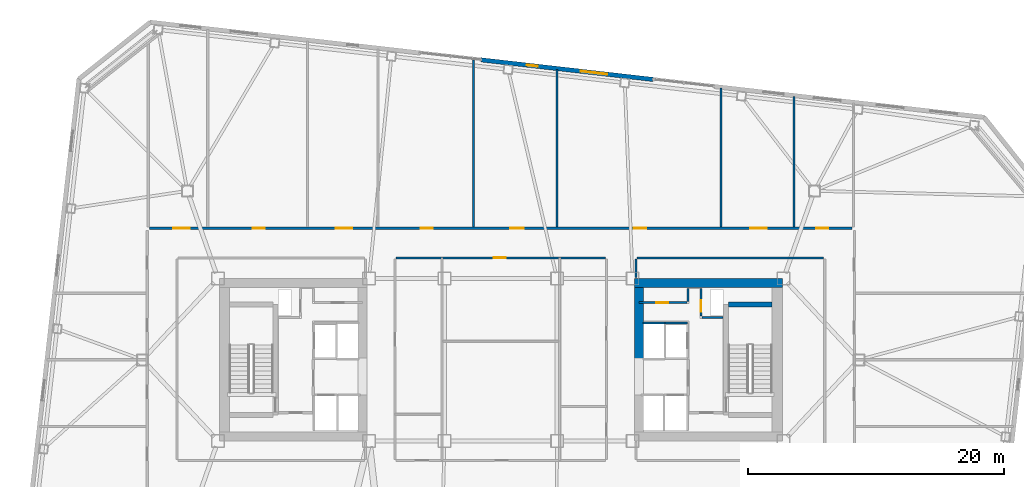
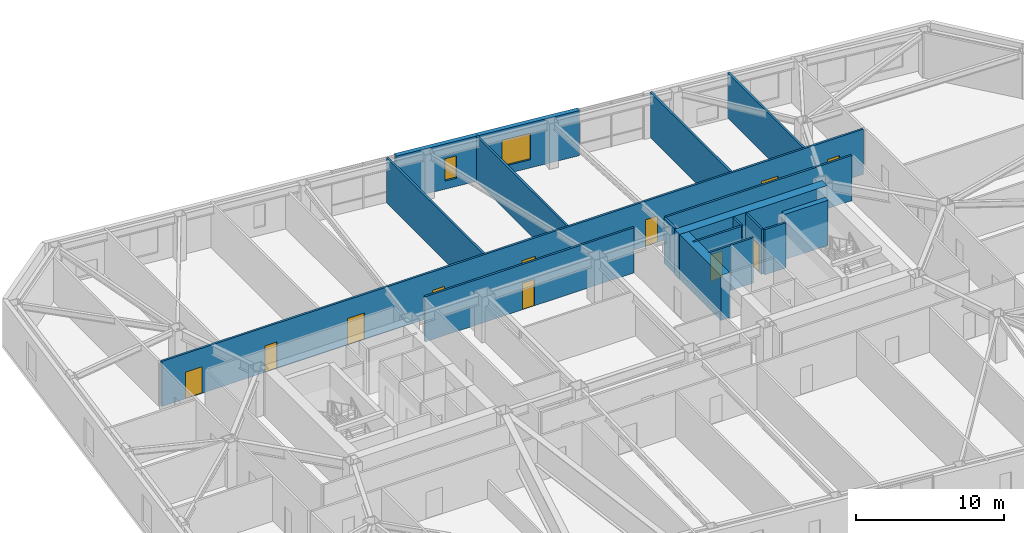
# One storey, part 15 of 22: 18 walls, 11 doors, 2 windows, 13 openings.
"""IFC4 building model written with IfcOpenShell, lengths in metres."""

from ifc_helpers import new_model, si_unit, direction, frame, frame_2d, origin, place, context, subcontext, project, spatial, rectangle, extrude, material, layer, layer_set, type_object, element, fill, save


model = new_model("IFC4")

# Units and contexts
model_context = context("Model", 3, precision=1e-05, world=origin(), true_north=direction((0.0, 1.0)))
body_context = subcontext(model_context, "Body", "Model", "MODEL_VIEW")
ifc_project = project(units=[si_unit("LENGTHUNIT", "METRE"), si_unit("AREAUNIT", "SQUARE_METRE"), si_unit("VOLUMEUNIT", "CUBIC_METRE"), si_unit("PLANEANGLEUNIT", "RADIAN"), si_unit("MASSUNIT", "GRAM", prefix="KILO")], contexts=[model_context])

# Site, building, storey
site_placement = place(None, origin())
site = spatial("IfcSite", under=ifc_project, at=site_placement, CompositionType="ELEMENT")
building_placement = place(site_placement, origin())
building = spatial("IfcBuilding", under=site, at=building_placement, Name="Tavrogorsk Clinical Tower", CompositionType="ELEMENT")
storey_placement = place(building_placement, frame((0.0, 0.0, 93.39990234375)))
storey = spatial("IfcBuildingStorey", under=building, at=storey_placement, Name="L20", CompositionType="ELEMENT", Elevation=93.39990234375)

# Wall, opening, door
ifc_material_1 = material(Name="Lightweight concrete blockwork B15", Category="masonry")
ifc_layer_1 = layer(ifc_material_1, 0.159912109375)
ifc_layer_set_1 = layer_set([ifc_layer_1], Name="Lightweight concrete blockwork B15")
wall_type_1 = type_object("IfcWallType", Name="PartitionWall_160", PredefinedType="PARTITIONING", material=ifc_layer_set_1)
wall_1_placement = place(storey_placement, frame((10.800048828125, 4.4599609375, 0.0), z_axis=(0.0, 0.0, 1.0), x_axis=(1.0, 0.0, 0.0)))
wall_1 = element("IfcWall", 1, at=wall_1_placement, inside=storey, type_object=wall_type_1, Name="L20 Core East Pneumatic Dispatch South Wall", PredefinedType="PARTITIONING", context=body_context, shape_type="SweptSolid", body=[
    extrude(rectangle(XDim=3.7548828125, YDim=0.159912109375, at=frame_2d((1.87744140625, 0.0))), origin(), (0.0, 0.0, 1.0), 3.739990234375),
])
opening_1_placement = place(wall_1_placement, frame((1.35009765625, 0.0, 0.0)))
opening_1 = element("IfcOpeningElement", 2, at=opening_1_placement, cuts=wall_1, Name="Opening ID-02", PredefinedType="OPENING", context=body_context, shape_type="SweptSolid", body=[
    extrude(rectangle(XDim=0.949951171875, YDim=2.199951171875, at=frame_2d((0.47509765625, 1.10009765625))), frame((0.0, 0.08984375, 0.0), z_axis=(0.0, -1.0, 0.0), x_axis=(1.0, 0.0, 0.0)), (0.0, 0.0, 1.0), 0.179931640625),
])
ifc_material_2 = material(Name="Laminated timber leaf on aluminium frame", Category="wood")
door_type_1 = type_object("IfcDoorType", Name="InteriorDoor_ID02_950", OperationType="NOTDEFINED", PredefinedType="DOOR", material=ifc_material_2)
door_1_placement = place(opening_1_placement, origin())
door_1 = element("IfcDoor", 3, at=door_1_placement, inside=storey, type_object=door_type_1, Name="L20 Core East Pneumatic Dispatch Door", OperationType="SINGLE_SWING_LEFT", OverallHeight=2.199951171875, OverallWidth=0.949951171875, PredefinedType="DOOR", context=body_context, shape_type="SweptSolid", body=[
    extrude(rectangle(XDim=0.949951171875, YDim=2.199951171875, at=frame_2d((0.47509765625, 1.10009765625))), frame((0.0, 0.02490234375, 0.0), z_axis=(0.0, -1.0, 0.0), x_axis=(1.0, 0.0, 0.0)), (0.0, 0.0, 1.0), 0.050048828125),
])
fill(opening_1, door_1)

# Wall
wall_2_placement = place(storey_placement, frame((14.639892578125, 4.544921875, 0.0), z_axis=(0.0, 0.0, 1.0), x_axis=(0.0, 1.0, 0.0)))
element("IfcWall", 4, at=wall_2_placement, inside=storey, type_object=wall_type_1, Name="L20 Core East Pneumatic Dispatch East Wall", PredefinedType="PARTITIONING", context=body_context, shape_type="SweptSolid", body=[
    extrude(rectangle(XDim=1.01513671875, YDim=0.159912109375, at=frame_2d((0.507568359375, 0.0))), origin(), (0.0, 0.0, 1.0), 3.739990234375),
])

# Wall, openings, doors
wall_3_placement = place(storey_placement, frame((-27.465087890625, 10.280029296875, 0.0), z_axis=(0.0, 0.0, 1.0), x_axis=(1.0, 0.0, 0.0)))
wall_3 = element("IfcWall", 5, at=wall_3_placement, inside=storey, type_object=wall_type_1, Name="L20 Corridor Partition 02", PredefinedType="PARTITIONING", context=body_context, shape_type="SweptSolid", body=[
    extrude(rectangle(XDim=54.93017578125, YDim=0.159912109375, at=frame_2d((27.465087890625, 0.0))), origin(), (0.0, 0.0, 1.0), 3.739990234375),
])
opening_2_placement = place(wall_3_placement, frame((1.869140625, 0.0, 0.0)))
opening_2 = element("IfcOpeningElement", 6, at=opening_2_placement, cuts=wall_3, Name="Opening ID-01", PredefinedType="OPENING", context=body_context, shape_type="SweptSolid", body=[
    extrude(rectangle(XDim=1.300048828125, YDim=2.199951171875, at=frame_2d((0.64990234375, 1.10009765625))), frame((0.0, 0.08984375, 0.0), z_axis=(0.0, -1.0, 0.0), x_axis=(1.0, 0.0, 0.0)), (0.0, 0.0, 1.0), 0.179931640625),
])
opening_3_placement = place(wall_3_placement, frame((8.080078125, 0.0, 0.0)))
opening_3 = element("IfcOpeningElement", 7, at=opening_3_placement, cuts=wall_3, Name="Opening ID-02", PredefinedType="OPENING", context=body_context, shape_type="SweptSolid", body=[
    extrude(rectangle(XDim=0.949951171875, YDim=2.199951171875, at=frame_2d((0.47509765625, 1.10009765625))), frame((0.0, 0.08984375, 0.0), z_axis=(0.0, -1.0, 0.0), x_axis=(1.0, 0.0, 0.0)), (0.0, 0.0, 1.0), 0.179931640625),
])
opening_4_placement = place(wall_3_placement, frame((14.554931640625, 0.0, 0.0)))
opening_4 = element("IfcOpeningElement", 8, at=opening_4_placement, cuts=wall_3, Name="Opening ID-01", PredefinedType="OPENING", context=body_context, shape_type="SweptSolid", body=[
    extrude(rectangle(XDim=1.300048828125, YDim=2.199951171875, at=frame_2d((0.64990234375, 1.10009765625))), frame((0.0, 0.08984375, 0.0), z_axis=(0.0, -1.0, 0.0), x_axis=(1.0, 0.0, 0.0)), (0.0, 0.0, 1.0), 0.179931640625),
])
opening_5_placement = place(wall_3_placement, frame((21.199951171875, 0.0, 0.0)))
opening_5 = element("IfcOpeningElement", 9, at=opening_5_placement, cuts=wall_3, Name="Opening ID-02", PredefinedType="OPENING", context=body_context, shape_type="SweptSolid", body=[
    extrude(rectangle(XDim=0.949951171875, YDim=2.199951171875, at=frame_2d((0.47509765625, 1.10009765625))), frame((0.0, 0.08984375, 0.0), z_axis=(0.0, -1.0, 0.0), x_axis=(1.0, 0.0, 0.0)), (0.0, 0.0, 1.0), 0.179931640625),
])
opening_6_placement = place(wall_3_placement, frame((28.199951171875, 0.0, 0.0)))
opening_6 = element("IfcOpeningElement", 10, at=opening_6_placement, cuts=wall_3, Name="Opening ID-04", PredefinedType="OPENING", context=body_context, shape_type="SweptSolid", body=[
    extrude(rectangle(XDim=1.050048828125, YDim=2.199951171875, at=frame_2d((0.52490234375, 1.10009765625))), frame((0.0, 0.08984375, 0.0), z_axis=(0.0, -1.0, 0.0), x_axis=(1.0, 0.0, 0.0)), (0.0, 0.0, 1.0), 0.179931640625),
])
opening_7_placement = place(wall_3_placement, frame((37.875, 0.0, 0.0)))
opening_7 = element("IfcOpeningElement", 11, at=opening_7_placement, cuts=wall_3, Name="Opening ID-02", PredefinedType="OPENING", context=body_context, shape_type="SweptSolid", body=[
    extrude(rectangle(XDim=0.949951171875, YDim=2.199951171875, at=frame_2d((0.47509765625, 1.10009765625))), frame((0.0, 0.08984375, 0.0), z_axis=(0.0, -1.0, 0.0), x_axis=(1.0, 0.0, 0.0)), (0.0, 0.0, 1.0), 0.179931640625),
])
opening_8_placement = place(wall_3_placement, frame((46.949951171875, 0.0, 0.0)))
opening_8 = element("IfcOpeningElement", 12, at=opening_8_placement, cuts=wall_3, Name="Opening ID-01", PredefinedType="OPENING", context=body_context, shape_type="SweptSolid", body=[
    extrude(rectangle(XDim=1.300048828125, YDim=2.199951171875, at=frame_2d((0.64990234375, 1.10009765625))), frame((0.0, 0.08984375, 0.0), z_axis=(0.0, -1.0, 0.0), x_axis=(1.0, 0.0, 0.0)), (0.0, 0.0, 1.0), 0.179931640625),
])
opening_9_placement = place(wall_3_placement, frame((52.10595703125, 0.0, 0.0)))
opening_9 = element("IfcOpeningElement", 13, at=opening_9_placement, cuts=wall_3, Name="Opening ID-02", PredefinedType="OPENING", context=body_context, shape_type="SweptSolid", body=[
    extrude(rectangle(XDim=0.949951171875, YDim=2.199951171875, at=frame_2d((0.47509765625, 1.10009765625))), frame((0.0, 0.08984375, 0.0), z_axis=(0.0, -1.0, 0.0), x_axis=(1.0, 0.0, 0.0)), (0.0, 0.0, 1.0), 0.179931640625),
])
ifc_material_3 = material(Name="Antibacterial HPL consultation door on aluminium frame", Category="aluminium")
door_type_2 = type_object("IfcDoorType", Name="ConsultDoor_ID04_1050", OperationType="NOTDEFINED", PredefinedType="DOOR", material=ifc_material_3)
door_2_placement = place(opening_6_placement, origin())
door_2 = element("IfcDoor", 14, at=door_2_placement, inside=storey, type_object=door_type_2, Name="L20 North Multidisciplinary Case Room 03B Door", OperationType="SINGLE_SWING_LEFT", OverallHeight=2.199951171875, OverallWidth=1.050048828125, PredefinedType="DOOR", context=body_context, shape_type="SweptSolid", body=[
    extrude(rectangle(XDim=1.050048828125, YDim=2.199951171875, at=frame_2d((0.52490234375, 1.10009765625))), frame((0.0, 0.02490234375, 0.0), z_axis=(0.0, -1.0, 0.0), x_axis=(1.0, 0.0, 0.0)), (0.0, 0.0, 1.0), 0.050048828125),
])
fill(opening_6, door_2)
door_3_placement = place(opening_3_placement, origin())
door_3 = element("IfcDoor", 15, at=door_3_placement, inside=storey, type_object=door_type_1, Name="L20 North Clinical Examination Suite 02A Door", OperationType="SINGLE_SWING_RIGHT", OverallHeight=2.199951171875, OverallWidth=0.949951171875, PredefinedType="DOOR", context=body_context, shape_type="SweptSolid", body=[
    extrude(rectangle(XDim=0.949951171875, YDim=2.199951171875, at=frame_2d((0.47509765625, 1.10009765625))), frame((0.0, 0.02490234375, 0.0), z_axis=(0.0, -1.0, 0.0), x_axis=(1.0, 0.0, 0.0)), (0.0, 0.0, 1.0), 0.050048828125),
])
fill(opening_3, door_3)
door_4_placement = place(opening_5_placement, origin())
door_4 = element("IfcDoor", 16, at=door_4_placement, inside=storey, type_object=door_type_1, Name="L20 North Diagnostic Ultrasound Suite 03A Door", OperationType="SINGLE_SWING_RIGHT", OverallHeight=2.199951171875, OverallWidth=0.949951171875, PredefinedType="DOOR", context=body_context, shape_type="SweptSolid", body=[
    extrude(rectangle(XDim=0.949951171875, YDim=2.199951171875, at=frame_2d((0.47509765625, 1.10009765625))), frame((0.0, 0.02490234375, 0.0), z_axis=(0.0, -1.0, 0.0), x_axis=(1.0, 0.0, 0.0)), (0.0, 0.0, 1.0), 0.050048828125),
])
fill(opening_5, door_4)
door_5_placement = place(opening_7_placement, origin())
door_5 = element("IfcDoor", 17, at=door_5_placement, inside=storey, type_object=door_type_1, Name="L20 North Physiotherapy Rehab Studio 04 Door", OperationType="SINGLE_SWING_RIGHT", OverallHeight=2.199951171875, OverallWidth=0.949951171875, PredefinedType="DOOR", context=body_context, shape_type="SweptSolid", body=[
    extrude(rectangle(XDim=0.949951171875, YDim=2.199951171875, at=frame_2d((0.47509765625, 1.10009765625))), frame((0.0, 0.02490234375, 0.0), z_axis=(0.0, -1.0, 0.0), x_axis=(1.0, 0.0, 0.0)), (0.0, 0.0, 1.0), 0.050048828125),
])
fill(opening_7, door_5)
door_6_placement = place(opening_9_placement, origin())
door_6 = element("IfcDoor", 18, at=door_6_placement, inside=storey, type_object=door_type_1, Name="L20 North Physician Consultation Office 06 Door", OperationType="SINGLE_SWING_RIGHT", OverallHeight=2.199951171875, OverallWidth=0.949951171875, PredefinedType="DOOR", context=body_context, shape_type="SweptSolid", body=[
    extrude(rectangle(XDim=0.949951171875, YDim=2.199951171875, at=frame_2d((0.47509765625, 1.10009765625))), frame((0.0, 0.02490234375, 0.0), z_axis=(0.0, -1.0, 0.0), x_axis=(1.0, 0.0, 0.0)), (0.0, 0.0, 1.0), 0.050048828125),
])
fill(opening_9, door_6)
ifc_material_4 = material(Name="Antibacterial HPL medical leaf on aluminium frame", Category="aluminium")
door_type_3 = type_object("IfcDoorType", Name="WardBedDoor_ID01_1300", OperationType="NOTDEFINED", PredefinedType="DOOR", material=ifc_material_4)
door_7_placement = place(opening_2_placement, origin())
door_7 = element("IfcDoor", 19, at=door_7_placement, inside=storey, type_object=door_type_3, Name="L20 North Inpatient Clinical Ward 01 Door", OperationType="SINGLE_SWING_LEFT", OverallHeight=2.199951171875, OverallWidth=1.300048828125, PredefinedType="DOOR", context=body_context, shape_type="SweptSolid", body=[
    extrude(rectangle(XDim=1.300048828125, YDim=2.199951171875, at=frame_2d((0.64990234375, 1.10009765625))), frame((0.0, 0.02490234375, 0.0), z_axis=(0.0, -1.0, 0.0), x_axis=(1.0, 0.0, 0.0)), (0.0, 0.0, 1.0), 0.050048828125),
])
fill(opening_2, door_7)
door_8_placement = place(opening_4_placement, origin())
door_8 = element("IfcDoor", 20, at=door_8_placement, inside=storey, type_object=door_type_3, Name="L20 North Sub-Acute Recovery Ward 02B Door", OperationType="SINGLE_SWING_LEFT", OverallHeight=2.199951171875, OverallWidth=1.300048828125, PredefinedType="DOOR", context=body_context, shape_type="SweptSolid", body=[
    extrude(rectangle(XDim=1.300048828125, YDim=2.199951171875, at=frame_2d((0.64990234375, 1.10009765625))), frame((0.0, 0.02490234375, 0.0), z_axis=(0.0, -1.0, 0.0), x_axis=(1.0, 0.0, 0.0)), (0.0, 0.0, 1.0), 0.050048828125),
])
fill(opening_4, door_8)
door_9_placement = place(opening_8_placement, origin())
door_9 = element("IfcDoor", 21, at=door_9_placement, inside=storey, type_object=door_type_3, Name="L20 North Step-Down Telemetry Ward 05 Door", OperationType="SINGLE_SWING_LEFT", OverallHeight=2.199951171875, OverallWidth=1.300048828125, PredefinedType="DOOR", context=body_context, shape_type="SweptSolid", body=[
    extrude(rectangle(XDim=1.300048828125, YDim=2.199951171875, at=frame_2d((0.64990234375, 1.10009765625))), frame((0.0, 0.02490234375, 0.0), z_axis=(0.0, -1.0, 0.0), x_axis=(1.0, 0.0, 0.0)), (0.0, 0.0, 1.0), 0.050048828125),
])
fill(opening_8, door_9)

# Walls
wall_4_placement = place(storey_placement, frame((25.235107421875, 7.969970703125, 0.0), z_axis=(0.0, 0.0, 1.0), x_axis=(-1.0, 0.0, 0.0)))
element("IfcWall", 22, at=wall_4_placement, inside=storey, type_object=wall_type_1, Name="L20 Corridor Partition 05", PredefinedType="PARTITIONING", context=body_context, shape_type="SweptSolid", body=[
    extrude(rectangle(XDim=14.570068359375, YDim=0.159912109375, at=frame_2d((7.28515625, 0.0))), origin(), (0.0, 0.0, 1.0), 3.739990234375),
])
wall_5_placement = place(storey_placement, frame((10.580078125, 7.885009765625, 0.0), z_axis=(0.0, 0.0, 1.0), x_axis=(0.0, -1.0, 0.0)))
element("IfcWall", 23, at=wall_5_placement, inside=storey, type_object=wall_type_1, Name="L20 Corridor Partition 06", PredefinedType="PARTITIONING", context=body_context, shape_type="SweptSolid", body=[
    extrude(rectangle(XDim=1.465087890625, YDim=0.159912109375, at=frame_2d((0.732421875, 0.0))), origin(), (0.0, 0.0, 1.0), 3.739990234375),
])

# Wall, opening, door
wall_6_placement = place(storey_placement, frame((8.18505859375, 7.969970703125, 0.0), z_axis=(0.0, 0.0, 1.0), x_axis=(-1.0, 0.0, 0.0)))
wall_6 = element("IfcWall", 24, at=wall_6_placement, inside=storey, type_object=wall_type_1, Name="L20 Corridor Partition 11", PredefinedType="PARTITIONING", context=body_context, shape_type="SweptSolid", body=[
    extrude(rectangle(XDim=16.3701171875, YDim=0.159912109375, at=frame_2d((8.18505859375, 0.0))), origin(), (0.0, 0.0, 1.0), 3.739990234375),
])
opening_10_placement = place(wall_6_placement, frame((7.794921875, 0.0, 0.0)))
opening_10 = element("IfcOpeningElement", 25, at=opening_10_placement, cuts=wall_6, Name="Opening ID-02", PredefinedType="OPENING", context=body_context, shape_type="SweptSolid", body=[
    extrude(rectangle(XDim=0.949951171875, YDim=2.199951171875, at=frame_2d((0.47509765625, 1.10009765625))), frame((0.0, 0.08984375, 0.0), z_axis=(0.0, -1.0, 0.0), x_axis=(1.0, 0.0, 0.0)), (0.0, 0.0, 1.0), 0.179931640625),
])
door_10_placement = place(opening_10_placement, origin())
door_10 = element("IfcDoor", 26, at=door_10_placement, inside=storey, type_object=door_type_1, Name="L20 Nurses' Station & Triage Hub Door", OperationType="SINGLE_SWING_RIGHT", OverallHeight=2.199951171875, OverallWidth=0.949951171875, PredefinedType="DOOR", context=body_context, shape_type="SweptSolid", body=[
    extrude(rectangle(XDim=0.949951171875, YDim=2.199951171875, at=frame_2d((0.47509765625, 1.10009765625))), frame((0.0, 0.02490234375, 0.0), z_axis=(0.0, -1.0, 0.0), x_axis=(1.0, 0.0, 0.0)), (0.0, 0.0, 1.0), 0.050048828125),
])
fill(opening_10, door_10)

# Walls
wall_7_placement = place(storey_placement, frame((4.39990234375, 10.364990234375, 0.0), z_axis=(0.0, 0.0, 1.0), x_axis=(0.0, 1.0, 0.0)))
element("IfcWall", 27, at=wall_7_placement, inside=storey, type_object=wall_type_1, Name="L20 North Room Partition 3", PredefinedType="PARTITIONING", context=body_context, shape_type="SweptSolid", body=[
    extrude(rectangle(XDim=12.325927734375, YDim=0.159912109375, at=frame_2d((6.1630859375, 0.0))), origin(), (0.0, 0.0, 1.0), 3.739990234375),
])
wall_8_placement = place(storey_placement, frame((17.199951171875, 10.364990234375, 0.0), z_axis=(0.0, 0.0, 1.0), x_axis=(0.0, 1.0, 0.0)))
element("IfcWall", 28, at=wall_8_placement, inside=storey, type_object=wall_type_1, Name="L20 North Room Partition 4", PredefinedType="PARTITIONING", context=body_context, shape_type="SweptSolid", body=[
    extrude(rectangle(XDim=10.86767578125, YDim=0.159912109375, at=frame_2d((5.433837890625, 0.0))), origin(), (0.0, 0.0, 1.0), 3.739990234375),
])
wall_9_placement = place(storey_placement, frame((22.89990234375, 10.364990234375, 0.0), z_axis=(0.0, 0.0, 1.0), x_axis=(0.0, 1.0, 0.0)))
element("IfcWall", 29, at=wall_9_placement, inside=storey, type_object=wall_type_1, Name="L20 North Room Partition 5", PredefinedType="PARTITIONING", context=body_context, shape_type="SweptSolid", body=[
    extrude(rectangle(XDim=10.21826171875, YDim=0.159912109375, at=frame_2d((5.109130859375, 0.0))), origin(), (0.0, 0.0, 1.0), 3.739990234375),
])
wall_10_placement = place(storey_placement, frame((-2.14990234375, 10.364990234375, 0.0), z_axis=(0.0, 0.0, 1.0), x_axis=(0.0, 1.0, 0.0)))
element("IfcWall", 30, at=wall_10_placement, inside=storey, type_object=wall_type_1, Name="L20 North Sub-Partition 3", PredefinedType="PARTITIONING", context=body_context, shape_type="SweptSolid", body=[
    extrude(rectangle(XDim=13.072265625, YDim=0.159912109375, at=frame_2d((6.5361328125, 0.0))), origin(), (0.0, 0.0, 1.0), 3.739990234375),
])

# Wall, openings, windows
ifc_material_5 = material(Name="Precast concrete B45 with limestone cladding", Category="masonry")
ifc_layer_2 = layer(ifc_material_5, 0.340087890625)
ifc_layer_set_2 = layer_set([ifc_layer_2], Name="Precast concrete B45 with limestone cladding")
wall_type_2 = type_object("IfcWallType", Name="PrecastLimestoneWall_340", PredefinedType="STANDARD", material=ifc_layer_set_2)
wall_11_placement = place(storey_placement, frame((11.921875, 21.904541015625, 0.0), z_axis=(0.0, 0.0, 1.0), x_axis=(-0.993571685551, 0.11320470693, 0.0)))
wall_11 = element("IfcWall", 31, at=wall_11_placement, inside=storey, type_object=wall_type_2, Name="L20 N Limestone Facade Wall 2", PredefinedType="STANDARD", context=body_context, shape_type="SweptSolid", body=[
    extrude(rectangle(XDim=13.554443359375, YDim=0.340087890625, at=frame_2d((6.77734375, 0.0))), origin(), (0.0, 0.0, 1.0), 3.739990234375),
])
opening_11_placement = place(wall_11_placement, frame((9.087890625, 0.0, 0.669921875)))
opening_11 = element("IfcOpeningElement", 32, at=opening_11_placement, cuts=wall_11, Name="Opening WN-06", PredefinedType="OPENING", context=body_context, shape_type="SweptSolid", body=[
    extrude(rectangle(XDim=0.85009765625, YDim=1.85009765625, at=frame_2d((0.425048828125, 0.925048828125))), frame((0.0, 0.179931640625, 0.0), z_axis=(0.0, -1.0, 0.0), x_axis=(1.0, 0.0, 0.0)), (0.0, 0.0, 1.0), 0.360107421875),
])
opening_12_placement = place(wall_11_placement, frame((3.616455078125, 0.0, 0.669921875)))
opening_12 = element("IfcOpeningElement", 33, at=opening_12_placement, cuts=wall_11, Name="Opening WN-03", PredefinedType="OPENING", context=body_context, shape_type="SweptSolid", body=[
    extrude(rectangle(XDim=2.10009765625, YDim=2.199951171875, at=frame_2d((1.050048828125, 1.10009765625))), frame((0.0, 0.179931640625, 0.0), z_axis=(0.0, -1.0, 0.0), x_axis=(1.0, 0.0, 0.0)), (0.0, 0.0, 1.0), 0.360107421875),
])
ifc_material_6 = material(Name="Thermally broken aluminium frame and triple IGU", Category="aluminium")
window_type_1 = type_object("IfcWindowType", Name="MullionSubWin_850x1850", PartitioningType="SINGLE_PANEL", PredefinedType="WINDOW", material=ifc_material_6)
window_1_placement = place(opening_11_placement, origin())
window_1 = element("IfcWindow", 34, at=window_1_placement, inside=storey, type_object=window_type_1, Name="L20 N Mullion Split Window 05B", OverallHeight=1.85009765625, OverallWidth=0.85009765625, PartitioningType="SINGLE_PANEL", PredefinedType="WINDOW", context=body_context, shape_type="SweptSolid", body=[
    extrude(rectangle(XDim=0.85009765625, YDim=1.85009765625, at=frame_2d((0.425048828125, 0.925048828125))), frame((0.0, 0.030029296875, 0.0), z_axis=(0.0, -1.0, 0.0), x_axis=(1.0, 0.0, 0.0)), (0.0, 0.0, 1.0), 0.06005859375),
])
fill(opening_11, window_1)
ifc_material_7 = material(Name="Thermally broken aluminium frame and triple IGU", Category="aluminium")
window_type_2 = type_object("IfcWindowType", Name="PatientTwinWin_2100x2200", PartitioningType="DOUBLE_PANEL_VERTICAL", PredefinedType="WINDOW", material=ifc_material_7)
window_2_placement = place(opening_12_placement, origin())
window_2 = element("IfcWindow", 35, at=window_2_placement, inside=storey, type_object=window_type_2, Name="L20 N Chicago Window 06", OverallHeight=2.199951171875, OverallWidth=2.10009765625, PartitioningType="SINGLE_PANEL", PredefinedType="WINDOW", context=body_context, shape_type="SweptSolid", body=[
    extrude(rectangle(XDim=2.10009765625, YDim=2.199951171875, at=frame_2d((1.050048828125, 1.10009765625))), frame((0.0, 0.030029296875, 0.0), z_axis=(0.0, -1.0, 0.0), x_axis=(1.0, 0.0, 0.0)), (0.0, 0.0, 1.0), 0.06005859375),
])
fill(opening_12, window_2)

# Walls
ifc_material_8 = material(Name="Lightweight concrete blockwork B25", Category="masonry")
ifc_layer_3 = layer(ifc_material_8, 0.159912109375)
ifc_layer_set_3 = layer_set([ifc_layer_3], Name="Lightweight concrete blockwork B25")
wall_type_3 = type_object("IfcWallType", Name="ShaftWall_160", PredefinedType="PARTITIONING", material=ifc_layer_set_3)
wall_12_placement = place(storey_placement, frame((12.840087890625, 2.8798828125, 0.0), z_axis=(0.0, 0.0, 1.0), x_axis=(1.0, 0.0, 0.0)))
element("IfcWall", 36, at=wall_12_placement, inside=storey, type_object=wall_type_3, Name="L20 FFL-E Shaft North Wall", PredefinedType="PARTITIONING", context=body_context, shape_type="SweptSolid", body=[
    extrude(rectangle(XDim=1.760009765625, YDim=0.159912109375, at=frame_2d((0.8798828125, 0.0))), origin(), (0.0, 0.0, 1.0), 3.739990234375),
])
wall_13_placement = place(storey_placement, frame((11.10009765625, 2.860107421875, 0.0), z_axis=(0.0, 0.0, 1.0), x_axis=(1.0, 0.0, 0.0)))
element("IfcWall", 37, at=wall_13_placement, inside=storey, type_object=wall_type_3, Name="L20 LP-H2 High-Zone Lift Rear Wall", PredefinedType="PARTITIONING", context=body_context, shape_type="SweptSolid", body=[
    extrude(rectangle(XDim=1.719970703125, YDim=0.159912109375, at=frame_2d((0.85986328125, 0.0))), origin(), (0.0, 0.0, 1.0), 3.739990234375),
])

# Wall, opening, door
wall_14_placement = place(storey_placement, frame((15.639892578125, 3.405029296875, 0.0), z_axis=(0.0, 0.0, 1.0), x_axis=(0.0, 1.0, 0.0)))
wall_14 = element("IfcWall", 38, at=wall_14_placement, inside=storey, type_object=wall_type_3, Name="L20 Core East Riser West Wall", PredefinedType="PARTITIONING", context=body_context, shape_type="SweptSolid", body=[
    extrude(rectangle(XDim=2.155029296875, YDim=0.159912109375, at=frame_2d((1.07763671875, 0.0))), origin(), (0.0, 0.0, 1.0), 3.739990234375),
])
opening_13_placement = place(wall_14_placement, frame((0.35009765625, 0.0, 0.0)))
opening_13 = element("IfcOpeningElement", 39, at=opening_13_placement, cuts=wall_14, Name="Opening FD-02", PredefinedType="OPENING", context=body_context, shape_type="SweptSolid", body=[
    extrude(rectangle(XDim=0.89990234375, YDim=2.199951171875, at=frame_2d((0.449951171875, 1.10009765625))), frame((0.0, 0.08984375, 0.0), z_axis=(0.0, -1.0, 0.0), x_axis=(1.0, 0.0, 0.0)), (0.0, 0.0, 1.0), 0.179931640625),
])
ifc_material_9 = material(Name="Galvanised steel fire-rated door assembly", Category="steel")
door_type_4 = type_object("IfcDoorType", Name="FireDoor_FD02_900", OperationType="NOTDEFINED", PredefinedType="DOOR", material=ifc_material_9)
door_11_placement = place(opening_13_placement, origin())
door_11 = element("IfcDoor", 40, at=door_11_placement, inside=storey, type_object=door_type_4, Name="L20 Core East Electrical Riser Access Door", OperationType="SINGLE_SWING_LEFT", OverallHeight=2.199951171875, OverallWidth=0.89990234375, PredefinedType="DOOR", context=body_context, shape_type="SweptSolid", body=[
    extrude(rectangle(XDim=0.89990234375, YDim=2.199951171875, at=frame_2d((0.449951171875, 1.10009765625))), frame((0.0, 0.02490234375, 0.0), z_axis=(0.0, -1.0, 0.0), x_axis=(1.0, 0.0, 0.0)), (0.0, 0.0, 1.0), 0.050048828125),
])
fill(opening_13, door_11)

# Walls
wall_15_placement = place(storey_placement, frame((15.72509765625, 3.320068359375, 0.0), z_axis=(0.0, 0.0, 1.0), x_axis=(1.0, 0.0, 0.0)))
element("IfcWall", 41, at=wall_15_placement, inside=storey, type_object=wall_type_3, Name="L20 Core East Riser South Wall", PredefinedType="PARTITIONING", context=body_context, shape_type="SweptSolid", body=[
    extrude(rectangle(XDim=1.65478515625, YDim=0.159912109375, at=frame_2d((0.827392578125, 0.0))), origin(), (0.0, 0.0, 1.0), 3.739990234375),
])
ifc_material_10 = material(Name="Concrete B80", Category="concrete")
ifc_layer_4 = layer(ifc_material_10, 0.39990234375)
ifc_layer_set_4 = layer_set([ifc_layer_4], Name="Concrete B80")
wall_type_4 = type_object("IfcWallType", Name="ShearWall_400", PredefinedType="SHEAR", material=ifc_layer_set_4)
wall_16_placement = place(storey_placement, frame((17.800048828125, 4.324951171875, 0.0), z_axis=(0.0, 0.0, 1.0), x_axis=(1.0, 0.0, 0.0)))
element("IfcWall", 42, at=wall_16_placement, inside=storey, type_object=wall_type_4, Name="L20 Core East Stair Shaft North Shear Wall", PredefinedType="SHEAR", context=body_context, shape_type="SweptSolid", body=[
    extrude(rectangle(XDim=3.39990234375, YDim=0.39990234375, at=frame_2d((1.699951171875, 0.0))), origin(), (0.0, 0.0, 1.0), 3.739990234375),
])
ifc_material_11 = material(Name="Concrete B80", Category="concrete")
ifc_layer_5 = layer(ifc_material_11, 0.699951171875)
ifc_layer_set_5 = layer_set([ifc_layer_5], Name="Concrete B80")
wall_type_5 = type_object("IfcWallType", Name="ShearWall_700", PredefinedType="SHEAR", material=ifc_layer_set_5)
wall_17_placement = place(storey_placement, frame((10.449951171875, 6.0, 0.0), z_axis=(0.0, 0.0, 1.0), x_axis=(1.0, 0.0, 0.0)))
element("IfcWall", 43, at=wall_17_placement, inside=storey, type_object=wall_type_5, Name="L20 Core East North Shear Wall", PredefinedType="SHEAR", context=body_context, shape_type="SweptSolid", body=[
    extrude(rectangle(XDim=11.550048828125, YDim=0.699951171875, at=frame_2d((5.77490234375, 0.0))), origin(), (0.0, 0.0, 1.0), 3.739990234375),
])
wall_18_placement = place(storey_placement, frame((10.800048828125, 0.050048828125, 0.0), z_axis=(0.0, 0.0, 1.0), x_axis=(0.0, 1.0, 0.0)))
element("IfcWall", 44, at=wall_18_placement, inside=storey, type_object=wall_type_5, Name="L20 Core East Inner North Pier", PredefinedType="SHEAR", context=body_context, shape_type="SweptSolid", body=[
    extrude(rectangle(XDim=5.599853515625, YDim=0.699951171875, at=frame_2d((2.7998046875, 0.0))), origin(), (0.0, 0.0, 1.0), 3.739990234375),
])

save(model, "model.ifc")
